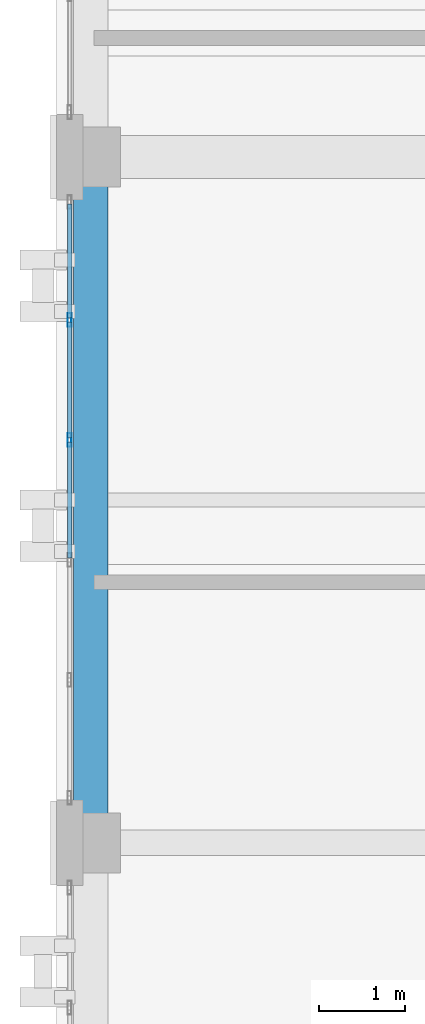
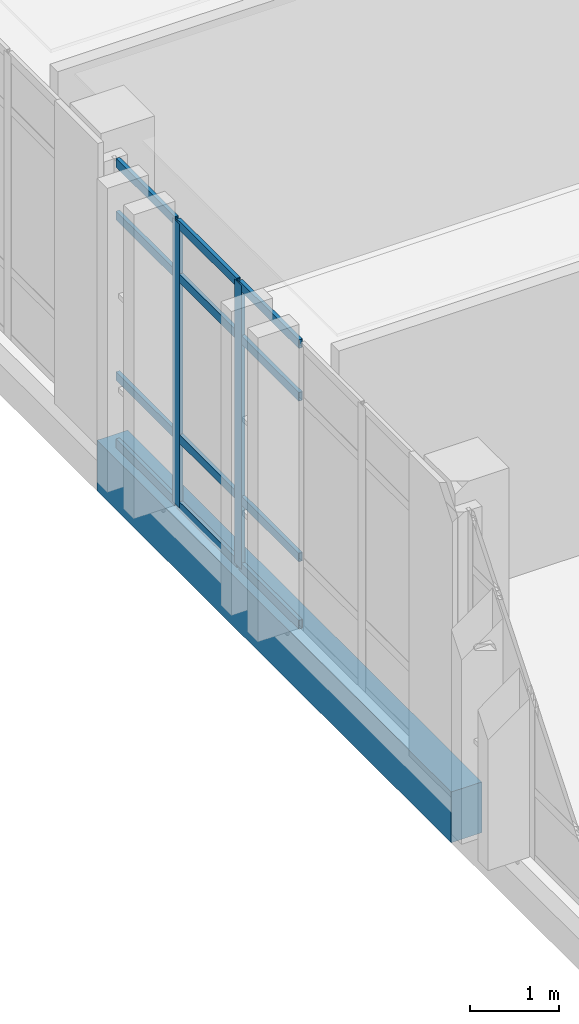
# One storey, part 26 of 193: 14 members, 1 beam, 1 element without a shape of its own.
"""IFC4 building model written with IfcOpenShell, lengths in metres."""

import ifcopenshell
import ifcopenshell.guid

model = None  # the IFC model being written
_history = None  # IfcOwnerHistory: only IFC2X3 demands one
_inside = {}  # id of a spatial element -> (the spatial element, [elements in it])
_under = {}  # id of a project, library or spatial element -> (it, [spatial elements below it])
_declared = {}  # id of a project -> (the project, [libraries it declares])
_typed = {}  # id of a type object -> (the type object, [elements of that type])
_made_of = {}  # id of a material, layer set ... -> (it, [elements and type objects made of it])


def new_model(schema):
    """Start an empty IFC model of exactly this schema.

    Asked for "IFC4X3", IfcOpenShell would pick the latest addendum, in which some entities
    have other attributes; the version numbers below select the first issue.
    IFC2X3 requires an IfcOwnerHistory on every rooted entity: one is made here for all.
    """
    global model, _history
    if schema == "IFC4X3":
        model = ifcopenshell.file(schema_version=(4, 3, 0, 0))
    else:
        model = ifcopenshell.file(schema=schema)
    _inside.clear()
    _under.clear()
    _declared.clear()
    _typed.clear()
    _made_of.clear()
    _history = None
    if model.schema == "IFC2X3":
        org = make("IfcOrganization", Name="unknown")
        user = make(
            "IfcPersonAndOrganization",
            ThePerson=make("IfcPerson", FamilyName="unknown"),
            TheOrganization=org,
        )
        app = make(
            "IfcApplication",
            ApplicationDeveloper=org,
            Version="unknown",
            ApplicationFullName="unknown",
            ApplicationIdentifier="unknown",
        )
        _history = make(
            "IfcOwnerHistory",
            OwningUser=user,
            OwningApplication=app,
            ChangeAction="ADDED",
            CreationDate=0,
        )
    return model


def make(cls, **values):
    """One entity of the class cls with the attributes given. An attribute that is None is left unset."""
    return model.create_entity(
        cls, **{name: value for name, value in values.items() if value is not None}
    )


def rooted(cls, **values):
    """An entity with a GlobalId (a new one), such as an element, a storey or a relation."""
    return make(cls, GlobalId=ifcopenshell.guid.new(), OwnerHistory=_history, **values)


def si_unit(unit_type, name, prefix=None):
    """IfcSIUnit, for example si_unit("LENGTHUNIT", "METRE", prefix="MILLI")."""
    return make("IfcSIUnit", UnitType=unit_type, Prefix=prefix, Name=name)


def assignment(units):
    """IfcUnitAssignment: the units of a project."""
    return None if units is None else make("IfcUnitAssignment", Units=units)


def point(xyz):
    """IfcCartesianPoint."""
    return None if xyz is None else make("IfcCartesianPoint", Coordinates=xyz)


def direction(xyz):
    """IfcDirection."""
    return None if xyz is None else make("IfcDirection", DirectionRatios=xyz)


def frame(location, z_axis=None, x_axis=None):
    """IfcAxis2Placement3D, a coordinate frame: its origin and axes. An axis left out is left unset."""
    return make(
        "IfcAxis2Placement3D",
        Location=point(location),
        Axis=direction(z_axis),
        RefDirection=direction(x_axis),
    )


def frame_2d(location, x_axis=None):
    """IfcAxis2Placement2D, a coordinate frame in the plane: its origin and x axis."""
    return make(
        "IfcAxis2Placement2D", Location=point(location), RefDirection=direction(x_axis)
    )


def origin():
    """The frame at (0, 0, 0) with its axes left unset."""
    return frame((0.0, 0.0, 0.0))


def origin_2d():
    """The frame at (0, 0) in the plane with its x axis left unset."""
    return frame_2d((0.0, 0.0))


def place(relative_to, where):
    """IfcLocalPlacement: puts the frame where relative to a parent placement (None: the world)."""
    return make(
        "IfcLocalPlacement", PlacementRelTo=relative_to, RelativePlacement=where
    )


def context(
    kind, dimensions, precision=None, world=None, true_north=None, identifier=None
):
    """IfcGeometricRepresentationContext, for example the 3D "Model" context."""
    return make(
        "IfcGeometricRepresentationContext",
        ContextIdentifier=identifier,
        ContextType=kind,
        CoordinateSpaceDimension=dimensions,
        Precision=precision,
        WorldCoordinateSystem=world,
        TrueNorth=true_north,
    )


def subcontext(parent, identifier, kind, view, scale=None):
    """IfcGeometricRepresentationSubContext, for example "Body" below "Model"."""
    return make(
        "IfcGeometricRepresentationSubContext",
        ContextIdentifier=identifier,
        ContextType=kind,
        ParentContext=parent,
        TargetScale=scale,
        TargetView=view,
    )


def project(units=None, contexts=None):
    """IfcProject with its units and contexts."""
    return rooted(
        "IfcProject",
        Name="project",
        RepresentationContexts=contexts,
        UnitsInContext=assignment(units),
    )


def spatial(cls, under=None, at=None, **own):
    """A site, building, storey or space (cls), placed at a placement, below another one or the project."""
    s = rooted(cls, ObjectPlacement=at, **own)
    if under is not None:
        _under.setdefault(under.id(), (under, []))[1].append(s)
    return s


def profile(cls, at=None, kind="AREA", **sizes):
    """A parametric profile (cls). Its sizes go by their IFC names, for example OverallWidth=200.0."""
    return make(cls, ProfileType=kind, Position=at, **sizes)


def rectangle(**sizes):
    """IfcRectangleProfileDef."""
    return profile("IfcRectangleProfileDef", **sizes)


def hollow_rectangle(**sizes):
    """IfcRectangleHollowProfileDef."""
    return profile("IfcRectangleHollowProfileDef", **sizes)


def extrude(swept, where, along, depth):
    """IfcExtrudedAreaSolid: the profile swept, set in the frame where, extruded along a direction by depth."""
    return make(
        "IfcExtrudedAreaSolid",
        SweptArea=swept,
        Position=where,
        ExtrudedDirection=direction(along),
        Depth=depth,
    )


def shape(context_of_items, identifier, shape_type, items):
    """IfcShapeRepresentation: the items that make up one representation, for example the "Body"."""
    return make(
        "IfcShapeRepresentation",
        ContextOfItems=context_of_items,
        RepresentationIdentifier=identifier,
        RepresentationType=shape_type,
        Items=items,
    )


def material(Name=None, Category=None):
    """IfcMaterial."""
    return make("IfcMaterial", Name=Name, Category=Category)


def layer(
    of_material, thickness, ventilated=None, Name=None, Category=None, Priority=None
):
    """IfcMaterialLayer: one layer of a wall or slab, of a material (None: an air gap)."""
    return make(
        "IfcMaterialLayer",
        Material=of_material,
        LayerThickness=thickness,
        IsVentilated=ventilated,
        Name=Name,
        Category=Category,
        Priority=Priority,
    )


def layer_set(layers, Name=None):
    """IfcMaterialLayerSet."""
    return make("IfcMaterialLayerSet", MaterialLayers=layers, LayerSetName=Name)


def material_profile(
    of_material, cross_section, Name=None, Category=None, Priority=None
):
    """IfcMaterialProfile: a cross section and its material."""
    return make(
        "IfcMaterialProfile",
        Name=Name,
        Material=of_material,
        Profile=cross_section,
        Priority=Priority,
        Category=Category,
    )


def profile_set(profiles, Name=None, composite=None):
    """IfcMaterialProfileSet."""
    return make(
        "IfcMaterialProfileSet",
        Name=Name,
        MaterialProfiles=profiles,
        CompositeProfile=composite,
    )


def made_of(thing, what):
    """Note that an element or type object is made of a material, layer set ...; save() writes the relation."""
    if what is not None:
        _made_of.setdefault(what.id(), (what, []))[1].append(thing)
    return thing


def type_object(cls, material=None, **own):
    """A type object (cls), such as IfcWallType, which elements share."""
    return made_of(rooted(cls, **own), material)


def element(
    cls,
    number,
    at=None,
    inside=None,
    cuts=None,
    type_object=None,
    material=None,
    context=None,
    identifier="Body",
    shape_type=None,
    held_by="IfcProductDefinitionShape",
    body=None,
    shapes=None,
    **own,
):
    """One element of the class cls, such as IfcWall. Its Tag is "e" and its number.

    at: its placement. inside: the storey or other place that contains it. cuts: it is an
    opening in that element (IfcRelVoidsElement). A single representation is given by context,
    identifier, shape_type and body (its items); several are given by shapes. held_by: the class
    of the entity that holds the representations. save() writes the other relations.
    """
    e = rooted(cls, Tag="e%d" % number, ObjectPlacement=at, **own)
    if body is not None:
        shapes = [shape(context, identifier, shape_type, body)]
    if shapes is not None:
        e.Representation = make(held_by, Representations=shapes)
    if inside is not None:
        _inside.setdefault(inside.id(), (inside, []))[1].append(e)
    if cuts is not None:
        rooted(
            "IfcRelVoidsElement", RelatingBuildingElement=cuts, RelatedOpeningElement=e
        )
    if type_object is not None:
        _typed.setdefault(type_object.id(), (type_object, []))[1].append(e)
    return made_of(e, material)


def aggregate(whole, parts):
    """IfcRelAggregates: a whole, such as a stair, and the parts it consists of."""
    return rooted("IfcRelAggregates", RelatingObject=whole, RelatedObjects=parts)


def save(model, path):
    """Write the relations noted so far, then the file.

    IfcRelAggregates (storeys below a building ...), IfcRelContainedInSpatialStructure (elements
    in a storey), IfcRelDefinesByType, IfcRelAssociatesMaterial and IfcRelDeclares: one each for
    every whole, place, type object, material and project.
    """
    for whole, parts in _under.values():
        aggregate(whole, parts)
    for where, things in _inside.values():
        rooted(
            "IfcRelContainedInSpatialStructure",
            RelatedElements=things,
            RelatingStructure=where,
        )
    for kind, things in _typed.values():
        rooted("IfcRelDefinesByType", RelatedObjects=things, RelatingType=kind)
    for what, things in _made_of.values():
        rooted("IfcRelAssociatesMaterial", RelatedObjects=things, RelatingMaterial=what)
    for by, libraries in _declared.values():
        rooted("IfcRelDeclares", RelatingContext=by, RelatedDefinitions=libraries)
    model.write(path)


model = new_model("IFC4")

# Units and contexts
model_context = context("Model", 3, precision=1e-05, world=origin(), true_north=direction((0.0, 1.0)))
body_context = subcontext(model_context, "Body", "Model", "MODEL_VIEW")
ifc_project = project(units=[si_unit("LENGTHUNIT", "METRE"), si_unit("AREAUNIT", "SQUARE_METRE"), si_unit("VOLUMEUNIT", "CUBIC_METRE"), si_unit("PLANEANGLEUNIT", "RADIAN"), si_unit("MASSUNIT", "GRAM", prefix="KILO")], contexts=[model_context])

# Site, building, storey
site_placement = place(None, origin())
site = spatial("IfcSite", under=ifc_project, at=site_placement, CompositionType="ELEMENT")
building_placement = place(site_placement, origin())
building = spatial("IfcBuilding", under=site, at=building_placement, Name="Qalavern Law Courts", CompositionType="ELEMENT")
storey_placement = place(building_placement, frame((0.0, 0.0, 10.199951171875)))
storey = spatial("IfcBuildingStorey", under=building, at=storey_placement, Name="L02", CompositionType="ELEMENT", Elevation=10.199951171875)

# Curtain wall, members
ifc_material_1 = material(Name="Anodised aluminium and insulated glazing", Category="aluminium")
ifc_layer = layer(ifc_material_1, 0.172119140625)
ifc_layer_set = layer_set([ifc_layer], Name="Anodised aluminium and insulated glazing")
curtain_wall_type = type_object("IfcCurtainWallType", Name="ENV-CW-COURT", PredefinedType="USERDEFINED", material=ifc_layer_set)
curtain_wall_placement = place(storey_placement, origin())
curtain_wall = element("IfcCurtainWall", 1, at=curtain_wall_placement, inside=storey, type_object=curtain_wall_type, Name="V3 unitised curtain wall L02 west 6", ObjectType="UNITISED CURTAIN WALL", PredefinedType="USERDEFINED")
ifc_material_2 = material(Name="Anodised aluminium", Category="aluminium")
ifc_material_profile_1 = material_profile(ifc_material_2, hollow_rectangle(XDim=0.048095703125, YDim=0.159912109375, WallThickness=0.00390625, at=origin_2d()), Name="ALU MULLION 48x160")
ifc_profile_set_1 = profile_set([ifc_material_profile_1], Name="Anodised aluminium")
member_type_1 = type_object("IfcMemberType", Name="ENV-CWM-48x160", PredefinedType="MULLION", material=ifc_profile_set_1)
member_1_placement = place(storey_placement, frame((2.155029296875, 55.5, 0.0), z_axis=(0.0, 0.0, 1.0), x_axis=(1.0, 0.0, 0.0)))
member_1 = element("IfcMember", 2, at=member_1_placement, type_object=member_type_1, Name="CW-03 mullion 2", PredefinedType="MULLION", context=body_context, shape_type="SweptSolid", body=[
    extrude(hollow_rectangle(XDim=0.048095703125, YDim=0.159912109375, WallThickness=0.00390625, at=origin_2d()), origin(), (0.0, 0.0, 1.0), 3.9150390625),
])
member_2_placement = place(storey_placement, frame((2.155029296875, 54.10009765625, 0.0), z_axis=(0.0, 0.0, 1.0), x_axis=(1.0, 0.0, 0.0)))
member_2 = element("IfcMember", 3, at=member_2_placement, type_object=member_type_1, Name="CW-03 mullion 3", PredefinedType="MULLION", context=body_context, shape_type="SweptSolid", body=[
    extrude(hollow_rectangle(XDim=0.048095703125, YDim=0.159912109375, WallThickness=0.00390625, at=origin_2d()), origin(), (0.0, 0.0, 1.0), 3.9150390625),
])
ifc_material_profile_2 = material_profile(ifc_material_2, hollow_rectangle(XDim=0.048095703125, YDim=0.1201171875, WallThickness=0.00390625, at=origin_2d()), Name="ALU TRANSOM 48x120")
ifc_profile_set_2 = profile_set([ifc_material_profile_2], Name="Anodised aluminium")
member_type_2 = type_object("IfcMemberType", Name="ENV-CWT-48x120", PredefinedType="USERDEFINED", material=ifc_profile_set_2)
member_3_placement = place(storey_placement, frame((2.155029296875, 56.85205078125, 0.024169921875), z_axis=(0.0, -1.0, 0.0), x_axis=(1.0, 0.0, 0.0)))
member_3 = element("IfcMember", 4, at=member_3_placement, type_object=member_type_2, Name="CW-03 transom 1.1", ObjectType="TRANSOM", PredefinedType="USERDEFINED", context=body_context, shape_type="SweptSolid", body=[
    extrude(hollow_rectangle(XDim=0.048095703125, YDim=0.1201171875, WallThickness=0.00390625, at=origin_2d()), origin(), (0.0, 0.0, 1.0), 1.328125),
])
member_4_placement = place(storey_placement, frame((2.155029296875, 56.85205078125, 0.949951171875), z_axis=(0.0, -1.0, 0.0), x_axis=(1.0, 0.0, 0.0)))
member_4 = element("IfcMember", 5, at=member_4_placement, type_object=member_type_2, Name="CW-03 transom 1.2", ObjectType="TRANSOM", PredefinedType="USERDEFINED", context=body_context, shape_type="SweptSolid", body=[
    extrude(hollow_rectangle(XDim=0.048095703125, YDim=0.1201171875, WallThickness=0.00390625, at=origin_2d()), origin(), (0.0, 0.0, 1.0), 1.328125),
])
member_5_placement = place(storey_placement, frame((2.155029296875, 56.85205078125, 3.1650390625), z_axis=(0.0, -1.0, 0.0), x_axis=(1.0, 0.0, 0.0)))
member_5 = element("IfcMember", 6, at=member_5_placement, type_object=member_type_2, Name="CW-03 transom 1.3", ObjectType="TRANSOM", PredefinedType="USERDEFINED", context=body_context, shape_type="SweptSolid", body=[
    extrude(hollow_rectangle(XDim=0.048095703125, YDim=0.1201171875, WallThickness=0.00390625, at=origin_2d()), origin(), (0.0, 0.0, 1.0), 1.328125),
])
member_6_placement = place(storey_placement, frame((2.155029296875, 56.85205078125, 3.89111328125), z_axis=(0.0, -1.0, 0.0), x_axis=(1.0, 0.0, 0.0)))
member_6 = element("IfcMember", 7, at=member_6_placement, type_object=member_type_2, Name="CW-03 transom 1.4", ObjectType="TRANSOM", PredefinedType="USERDEFINED", context=body_context, shape_type="SweptSolid", body=[
    extrude(hollow_rectangle(XDim=0.048095703125, YDim=0.1201171875, WallThickness=0.00390625, at=origin_2d()), origin(), (0.0, 0.0, 1.0), 1.328125),
])
member_7_placement = place(storey_placement, frame((2.155029296875, 55.47607421875, 0.024169921875), z_axis=(0.0, -1.0, 0.0), x_axis=(1.0, 0.0, 0.0)))
member_7 = element("IfcMember", 8, at=member_7_placement, type_object=member_type_2, Name="CW-03 transom 2.1", ObjectType="TRANSOM", PredefinedType="USERDEFINED", context=body_context, shape_type="SweptSolid", body=[
    extrude(hollow_rectangle(XDim=0.048095703125, YDim=0.1201171875, WallThickness=0.00390625, at=origin_2d()), origin(), (0.0, 0.0, 1.0), 1.35205078125),
])
member_8_placement = place(storey_placement, frame((2.155029296875, 55.47607421875, 0.949951171875), z_axis=(0.0, -1.0, 0.0), x_axis=(1.0, 0.0, 0.0)))
member_8 = element("IfcMember", 9, at=member_8_placement, type_object=member_type_2, Name="CW-03 transom 2.2", ObjectType="TRANSOM", PredefinedType="USERDEFINED", context=body_context, shape_type="SweptSolid", body=[
    extrude(hollow_rectangle(XDim=0.048095703125, YDim=0.1201171875, WallThickness=0.00390625, at=origin_2d()), origin(), (0.0, 0.0, 1.0), 1.35205078125),
])
member_9_placement = place(storey_placement, frame((2.155029296875, 55.47607421875, 3.1650390625), z_axis=(0.0, -1.0, 0.0), x_axis=(1.0, 0.0, 0.0)))
member_9 = element("IfcMember", 10, at=member_9_placement, type_object=member_type_2, Name="CW-03 transom 2.3", ObjectType="TRANSOM", PredefinedType="USERDEFINED", context=body_context, shape_type="SweptSolid", body=[
    extrude(hollow_rectangle(XDim=0.048095703125, YDim=0.1201171875, WallThickness=0.00390625, at=origin_2d()), origin(), (0.0, 0.0, 1.0), 1.35205078125),
])
member_10_placement = place(storey_placement, frame((2.155029296875, 55.47607421875, 3.89111328125), z_axis=(0.0, -1.0, 0.0), x_axis=(1.0, 0.0, 0.0)))
member_10 = element("IfcMember", 11, at=member_10_placement, type_object=member_type_2, Name="CW-03 transom 2.4", ObjectType="TRANSOM", PredefinedType="USERDEFINED", context=body_context, shape_type="SweptSolid", body=[
    extrude(hollow_rectangle(XDim=0.048095703125, YDim=0.1201171875, WallThickness=0.00390625, at=origin_2d()), origin(), (0.0, 0.0, 1.0), 1.35205078125),
])
member_11_placement = place(storey_placement, frame((2.155029296875, 54.075927734375, 0.024169921875), z_axis=(0.0, -1.0, 0.0), x_axis=(1.0, 0.0, 0.0)))
member_11 = element("IfcMember", 12, at=member_11_placement, type_object=member_type_2, Name="CW-03 transom 3.1", ObjectType="TRANSOM", PredefinedType="USERDEFINED", context=body_context, shape_type="SweptSolid", body=[
    extrude(hollow_rectangle(XDim=0.048095703125, YDim=0.1201171875, WallThickness=0.00390625, at=origin_2d()), origin(), (0.0, 0.0, 1.0), 1.351806640625),
])
member_12_placement = place(storey_placement, frame((2.155029296875, 54.075927734375, 0.949951171875), z_axis=(0.0, -1.0, 0.0), x_axis=(1.0, 0.0, 0.0)))
member_12 = element("IfcMember", 13, at=member_12_placement, type_object=member_type_2, Name="CW-03 transom 3.2", ObjectType="TRANSOM", PredefinedType="USERDEFINED", context=body_context, shape_type="SweptSolid", body=[
    extrude(hollow_rectangle(XDim=0.048095703125, YDim=0.1201171875, WallThickness=0.00390625, at=origin_2d()), origin(), (0.0, 0.0, 1.0), 1.351806640625),
])
member_13_placement = place(storey_placement, frame((2.155029296875, 54.075927734375, 3.1650390625), z_axis=(0.0, -1.0, 0.0), x_axis=(1.0, 0.0, 0.0)))
member_13 = element("IfcMember", 14, at=member_13_placement, type_object=member_type_2, Name="CW-03 transom 3.3", ObjectType="TRANSOM", PredefinedType="USERDEFINED", context=body_context, shape_type="SweptSolid", body=[
    extrude(hollow_rectangle(XDim=0.048095703125, YDim=0.1201171875, WallThickness=0.00390625, at=origin_2d()), origin(), (0.0, 0.0, 1.0), 1.351806640625),
])
member_14_placement = place(storey_placement, frame((2.155029296875, 54.075927734375, 3.89111328125), z_axis=(0.0, -1.0, 0.0), x_axis=(1.0, 0.0, 0.0)))
member_14 = element("IfcMember", 15, at=member_14_placement, type_object=member_type_2, Name="CW-03 transom 3.4", ObjectType="TRANSOM", PredefinedType="USERDEFINED", context=body_context, shape_type="SweptSolid", body=[
    extrude(hollow_rectangle(XDim=0.048095703125, YDim=0.1201171875, WallThickness=0.00390625, at=origin_2d()), origin(), (0.0, 0.0, 1.0), 1.351806640625),
])
aggregate(curtain_wall, [member_1, member_2, member_3, member_4, member_5, member_6, member_7, member_8, member_9, member_10, member_11, member_12, member_13, member_14])

# Beam
ifc_material_3 = material(Name="Concrete C40/50", Category="concrete")
ifc_material_profile_3 = material_profile(ifc_material_3, rectangle(XDim=0.39990234375, YDim=0.699951171875, at=origin_2d()), Name="RC 400x700")
ifc_profile_set_3 = profile_set([ifc_material_profile_3], Name="Concrete C40/50")
beam_type = type_object("IfcBeamType", Name="STR-SP-RC400x700", PredefinedType="SPANDREL", material=ifc_profile_set_3)
beam_placement = place(storey_placement, frame((2.39990234375, 49.39990234375, -0.639892578125), z_axis=(0.0, 1.0, 0.0), x_axis=(-1.0, 0.0, 0.0)))
element("IfcBeam", 16, at=beam_placement, inside=storey, type_object=beam_type, Name="V3 Y-beam 1-2 L02", PredefinedType="SPANDREL", context=body_context, shape_type="SweptSolid", body=[
    extrude(rectangle(XDim=0.39990234375, YDim=0.699951171875, at=origin_2d()), origin(), (0.0, 0.0, 1.0), 8.0),
])

save(model, "model.ifc")
